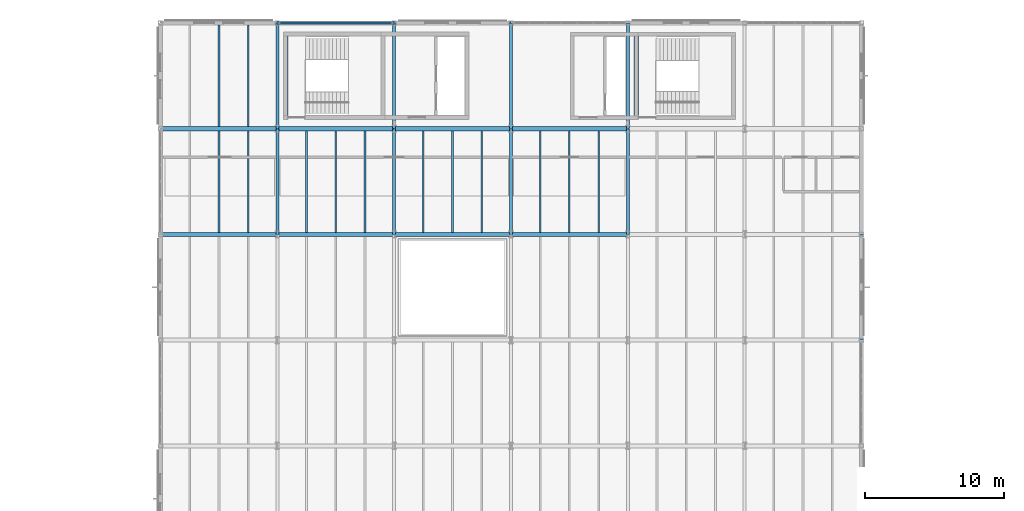
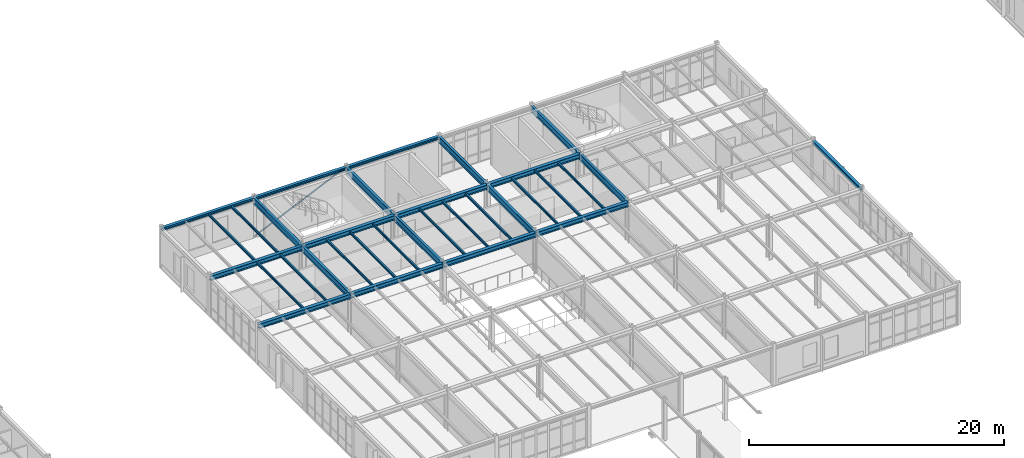
# One storey, part 91 of 165: 35 beams, 1 member.
"""IFC4 building model written with IfcOpenShell, lengths in metres."""

import ifcopenshell
import ifcopenshell.guid

model = None  # the IFC model being written
_history = None  # IfcOwnerHistory: only IFC2X3 demands one
_inside = {}  # id of a spatial element -> (the spatial element, [elements in it])
_under = {}  # id of a project, library or spatial element -> (it, [spatial elements below it])
_declared = {}  # id of a project -> (the project, [libraries it declares])
_typed = {}  # id of a type object -> (the type object, [elements of that type])
_made_of = {}  # id of a material, layer set ... -> (it, [elements and type objects made of it])


def new_model(schema):
    """Start an empty IFC model of exactly this schema.

    Asked for "IFC4X3", IfcOpenShell would pick the latest addendum, in which some entities
    have other attributes; the version numbers below select the first issue.
    IFC2X3 requires an IfcOwnerHistory on every rooted entity: one is made here for all.
    """
    global model, _history
    if schema == "IFC4X3":
        model = ifcopenshell.file(schema_version=(4, 3, 0, 0))
    else:
        model = ifcopenshell.file(schema=schema)
    _inside.clear()
    _under.clear()
    _declared.clear()
    _typed.clear()
    _made_of.clear()
    _history = None
    if model.schema == "IFC2X3":
        org = make("IfcOrganization", Name="unknown")
        user = make(
            "IfcPersonAndOrganization",
            ThePerson=make("IfcPerson", FamilyName="unknown"),
            TheOrganization=org,
        )
        app = make(
            "IfcApplication",
            ApplicationDeveloper=org,
            Version="unknown",
            ApplicationFullName="unknown",
            ApplicationIdentifier="unknown",
        )
        _history = make(
            "IfcOwnerHistory",
            OwningUser=user,
            OwningApplication=app,
            ChangeAction="ADDED",
            CreationDate=0,
        )
    return model


def make(cls, **values):
    """One entity of the class cls with the attributes given. An attribute that is None is left unset."""
    return model.create_entity(
        cls, **{name: value for name, value in values.items() if value is not None}
    )


def rooted(cls, **values):
    """An entity with a GlobalId (a new one), such as an element, a storey or a relation."""
    return make(cls, GlobalId=ifcopenshell.guid.new(), OwnerHistory=_history, **values)


def si_unit(unit_type, name, prefix=None):
    """IfcSIUnit, for example si_unit("LENGTHUNIT", "METRE", prefix="MILLI")."""
    return make("IfcSIUnit", UnitType=unit_type, Prefix=prefix, Name=name)


def assignment(units):
    """IfcUnitAssignment: the units of a project."""
    return None if units is None else make("IfcUnitAssignment", Units=units)


def point(xyz):
    """IfcCartesianPoint."""
    return None if xyz is None else make("IfcCartesianPoint", Coordinates=xyz)


def direction(xyz):
    """IfcDirection."""
    return None if xyz is None else make("IfcDirection", DirectionRatios=xyz)


def frame(location, z_axis=None, x_axis=None):
    """IfcAxis2Placement3D, a coordinate frame: its origin and axes. An axis left out is left unset."""
    return make(
        "IfcAxis2Placement3D",
        Location=point(location),
        Axis=direction(z_axis),
        RefDirection=direction(x_axis),
    )


def frame_2d(location, x_axis=None):
    """IfcAxis2Placement2D, a coordinate frame in the plane: its origin and x axis."""
    return make(
        "IfcAxis2Placement2D", Location=point(location), RefDirection=direction(x_axis)
    )


def origin():
    """The frame at (0, 0, 0) with its axes left unset."""
    return frame((0.0, 0.0, 0.0))


def origin_2d():
    """The frame at (0, 0) in the plane with its x axis left unset."""
    return frame_2d((0.0, 0.0))


def place(relative_to, where):
    """IfcLocalPlacement: puts the frame where relative to a parent placement (None: the world)."""
    return make(
        "IfcLocalPlacement", PlacementRelTo=relative_to, RelativePlacement=where
    )


def context(
    kind, dimensions, precision=None, world=None, true_north=None, identifier=None
):
    """IfcGeometricRepresentationContext, for example the 3D "Model" context."""
    return make(
        "IfcGeometricRepresentationContext",
        ContextIdentifier=identifier,
        ContextType=kind,
        CoordinateSpaceDimension=dimensions,
        Precision=precision,
        WorldCoordinateSystem=world,
        TrueNorth=true_north,
    )


def subcontext(parent, identifier, kind, view, scale=None):
    """IfcGeometricRepresentationSubContext, for example "Body" below "Model"."""
    return make(
        "IfcGeometricRepresentationSubContext",
        ContextIdentifier=identifier,
        ContextType=kind,
        ParentContext=parent,
        TargetScale=scale,
        TargetView=view,
    )


def project(units=None, contexts=None):
    """IfcProject with its units and contexts."""
    return rooted(
        "IfcProject",
        Name="project",
        RepresentationContexts=contexts,
        UnitsInContext=assignment(units),
    )


def spatial(cls, under=None, at=None, **own):
    """A site, building, storey or space (cls), placed at a placement, below another one or the project."""
    s = rooted(cls, ObjectPlacement=at, **own)
    if under is not None:
        _under.setdefault(under.id(), (under, []))[1].append(s)
    return s


def profile(cls, at=None, kind="AREA", **sizes):
    """A parametric profile (cls). Its sizes go by their IFC names, for example OverallWidth=200.0."""
    return make(cls, ProfileType=kind, Position=at, **sizes)


def rectangle(**sizes):
    """IfcRectangleProfileDef."""
    return profile("IfcRectangleProfileDef", **sizes)


def hollow_circle(**sizes):
    """IfcCircleHollowProfileDef."""
    return profile("IfcCircleHollowProfileDef", **sizes)


def i_section(**sizes):
    """IfcIShapeProfileDef."""
    return profile("IfcIShapeProfileDef", **sizes)


def extrude(swept, where, along, depth):
    """IfcExtrudedAreaSolid: the profile swept, set in the frame where, extruded along a direction by depth."""
    return make(
        "IfcExtrudedAreaSolid",
        SweptArea=swept,
        Position=where,
        ExtrudedDirection=direction(along),
        Depth=depth,
    )


def shape(context_of_items, identifier, shape_type, items):
    """IfcShapeRepresentation: the items that make up one representation, for example the "Body"."""
    return make(
        "IfcShapeRepresentation",
        ContextOfItems=context_of_items,
        RepresentationIdentifier=identifier,
        RepresentationType=shape_type,
        Items=items,
    )


def material(Name=None, Category=None):
    """IfcMaterial."""
    return make("IfcMaterial", Name=Name, Category=Category)


def material_profile(
    of_material, cross_section, Name=None, Category=None, Priority=None
):
    """IfcMaterialProfile: a cross section and its material."""
    return make(
        "IfcMaterialProfile",
        Name=Name,
        Material=of_material,
        Profile=cross_section,
        Priority=Priority,
        Category=Category,
    )


def profile_set(profiles, Name=None, composite=None):
    """IfcMaterialProfileSet."""
    return make(
        "IfcMaterialProfileSet",
        Name=Name,
        MaterialProfiles=profiles,
        CompositeProfile=composite,
    )


def made_of(thing, what):
    """Note that an element or type object is made of a material, layer set ...; save() writes the relation."""
    if what is not None:
        _made_of.setdefault(what.id(), (what, []))[1].append(thing)
    return thing


def type_object(cls, material=None, **own):
    """A type object (cls), such as IfcWallType, which elements share."""
    return made_of(rooted(cls, **own), material)


def element(
    cls,
    number,
    at=None,
    inside=None,
    cuts=None,
    type_object=None,
    material=None,
    context=None,
    identifier="Body",
    shape_type=None,
    held_by="IfcProductDefinitionShape",
    body=None,
    shapes=None,
    **own,
):
    """One element of the class cls, such as IfcWall. Its Tag is "e" and its number.

    at: its placement. inside: the storey or other place that contains it. cuts: it is an
    opening in that element (IfcRelVoidsElement). A single representation is given by context,
    identifier, shape_type and body (its items); several are given by shapes. held_by: the class
    of the entity that holds the representations. save() writes the other relations.
    """
    e = rooted(cls, Tag="e%d" % number, ObjectPlacement=at, **own)
    if body is not None:
        shapes = [shape(context, identifier, shape_type, body)]
    if shapes is not None:
        e.Representation = make(held_by, Representations=shapes)
    if inside is not None:
        _inside.setdefault(inside.id(), (inside, []))[1].append(e)
    if cuts is not None:
        rooted(
            "IfcRelVoidsElement", RelatingBuildingElement=cuts, RelatedOpeningElement=e
        )
    if type_object is not None:
        _typed.setdefault(type_object.id(), (type_object, []))[1].append(e)
    return made_of(e, material)


def aggregate(whole, parts):
    """IfcRelAggregates: a whole, such as a stair, and the parts it consists of."""
    return rooted("IfcRelAggregates", RelatingObject=whole, RelatedObjects=parts)


def save(model, path):
    """Write the relations noted so far, then the file.

    IfcRelAggregates (storeys below a building ...), IfcRelContainedInSpatialStructure (elements
    in a storey), IfcRelDefinesByType, IfcRelAssociatesMaterial and IfcRelDeclares: one each for
    every whole, place, type object, material and project.
    """
    for whole, parts in _under.values():
        aggregate(whole, parts)
    for where, things in _inside.values():
        rooted(
            "IfcRelContainedInSpatialStructure",
            RelatedElements=things,
            RelatingStructure=where,
        )
    for kind, things in _typed.values():
        rooted("IfcRelDefinesByType", RelatedObjects=things, RelatingType=kind)
    for what, things in _made_of.values():
        rooted("IfcRelAssociatesMaterial", RelatedObjects=things, RelatingMaterial=what)
    for by, libraries in _declared.values():
        rooted("IfcRelDeclares", RelatingContext=by, RelatedDefinitions=libraries)
    model.write(path)


model = new_model("IFC4")

# Units and contexts
model_context = context("Model", 3, precision=1e-05, world=origin(), true_north=direction((0.0, 1.0)))
body_context = subcontext(model_context, "Body", "Model", "MODEL_VIEW")
ifc_project = project(units=[si_unit("LENGTHUNIT", "METRE"), si_unit("AREAUNIT", "SQUARE_METRE"), si_unit("VOLUMEUNIT", "CUBIC_METRE"), si_unit("PLANEANGLEUNIT", "RADIAN"), si_unit("MASSUNIT", "GRAM", prefix="KILO")], contexts=[model_context])

# Site, building, storey
site_placement = place(None, origin())
site = spatial("IfcSite", under=ifc_project, at=site_placement, CompositionType="ELEMENT")
building_placement = place(site_placement, origin())
building = spatial("IfcBuilding", under=site, at=building_placement, Name="Montecoro Central Library", CompositionType="ELEMENT")
storey_placement = place(building_placement, frame((0.0, 0.0, 5.10009765625)))
storey = spatial("IfcBuildingStorey", under=building, at=storey_placement, Name="L01", CompositionType="ELEMENT", Elevation=5.10009765625)

# Beams
ifc_material_1 = material(Name="Steel S355J2", Category="steel")
ifc_material_profile_1 = material_profile(ifc_material_1, i_section(OverallWidth=0.300048828125, OverallDepth=0.43994140625, WebThickness=0.011474609375, FlangeThickness=0.02099609375, at=origin_2d()), Name="HEA 450")
ifc_profile_set_1 = profile_set([ifc_material_profile_1], Name="Steel S355J2")
beam_type_1 = type_object("IfcBeamType", Name="BM-G-HEA450", PredefinedType="USERDEFINED", material=ifc_profile_set_1)
beam_1_placement = place(storey_placement, frame((66.405029296875, 103.800048828125, 3.60498046875), z_axis=(1.0, 0.0, 0.0), x_axis=(0.0, 1.0, 0.0)))
element("IfcBeam", 1, at=beam_1_placement, inside=storey, type_object=beam_type_1, Name="V2-L01-BX-910-P", ObjectType="GIRDER", PredefinedType="USERDEFINED", context=body_context, shape_type="SweptSolid", body=[
    extrude(i_section(OverallWidth=0.300048828125, OverallDepth=0.43994140625, WebThickness=0.011474609375, FlangeThickness=0.02099609375, at=origin_2d()), origin(), (0.0, 0.0, 1.0), 8.389892578125),
])
beam_2_placement = place(storey_placement, frame((74.804931640625, 103.800048828125, 3.60498046875), z_axis=(1.0, 0.0, 0.0), x_axis=(0.0, 1.0, 0.0)))
element("IfcBeam", 2, at=beam_2_placement, inside=storey, type_object=beam_type_1, Name="V2-L01-BX-1011-P", ObjectType="GIRDER", PredefinedType="USERDEFINED", context=body_context, shape_type="SweptSolid", body=[
    extrude(i_section(OverallWidth=0.300048828125, OverallDepth=0.43994140625, WebThickness=0.011474609375, FlangeThickness=0.02099609375, at=origin_2d()), origin(), (0.0, 0.0, 1.0), 8.39013671875),
])
beam_3_placement = place(storey_placement, frame((83.205078125, 103.800048828125, 3.60498046875), z_axis=(1.0, 0.0, 0.0), x_axis=(0.0, 1.0, 0.0)))
element("IfcBeam", 3, at=beam_3_placement, inside=storey, type_object=beam_type_1, Name="V2-L01-BX-1112-P", ObjectType="GIRDER", PredefinedType="USERDEFINED", context=body_context, shape_type="SweptSolid", body=[
    extrude(i_section(OverallWidth=0.300048828125, OverallDepth=0.43994140625, WebThickness=0.011474609375, FlangeThickness=0.02099609375, at=origin_2d()), origin(), (0.0, 0.0, 1.0), 8.389892578125),
])
beam_4_placement = place(storey_placement, frame((91.60498046875, 103.800048828125, 3.60498046875), z_axis=(1.0, 0.0, 0.0), x_axis=(0.0, 1.0, 0.0)))
element("IfcBeam", 4, at=beam_4_placement, inside=storey, type_object=beam_type_1, Name="V2-L01-BX-1213-P", ObjectType="GIRDER", PredefinedType="USERDEFINED", context=body_context, shape_type="SweptSolid", body=[
    extrude(i_section(OverallWidth=0.300048828125, OverallDepth=0.43994140625, WebThickness=0.011474609375, FlangeThickness=0.02099609375, at=origin_2d()), origin(), (0.0, 0.0, 1.0), 8.39013671875),
])
beam_5_placement = place(storey_placement, frame((66.405029296875, 111.39990234375, 3.60498046875), z_axis=(1.0, 0.0, 0.0), x_axis=(0.0, 1.0, 0.0)))
element("IfcBeam", 5, at=beam_5_placement, inside=storey, type_object=beam_type_1, Name="V2-L01-BX-910-Q", ObjectType="GIRDER", PredefinedType="USERDEFINED", context=body_context, shape_type="SweptSolid", body=[
    extrude(i_section(OverallWidth=0.300048828125, OverallDepth=0.43994140625, WebThickness=0.011474609375, FlangeThickness=0.02099609375, at=origin_2d()), origin(), (0.0, 0.0, 1.0), 8.389892578125),
])
beam_6_placement = place(storey_placement, frame((74.804931640625, 111.39990234375, 3.60498046875), z_axis=(1.0, 0.0, 0.0), x_axis=(0.0, 1.0, 0.0)))
element("IfcBeam", 6, at=beam_6_placement, inside=storey, type_object=beam_type_1, Name="V2-L01-BX-1011-Q", ObjectType="GIRDER", PredefinedType="USERDEFINED", context=body_context, shape_type="SweptSolid", body=[
    extrude(i_section(OverallWidth=0.300048828125, OverallDepth=0.43994140625, WebThickness=0.011474609375, FlangeThickness=0.02099609375, at=origin_2d()), origin(), (0.0, 0.0, 1.0), 8.39013671875),
])
beam_7_placement = place(storey_placement, frame((83.205078125, 111.39990234375, 3.60498046875), z_axis=(1.0, 0.0, 0.0), x_axis=(0.0, 1.0, 0.0)))
element("IfcBeam", 7, at=beam_7_placement, inside=storey, type_object=beam_type_1, Name="V2-L01-BX-1112-Q", ObjectType="GIRDER", PredefinedType="USERDEFINED", context=body_context, shape_type="SweptSolid", body=[
    extrude(i_section(OverallWidth=0.300048828125, OverallDepth=0.43994140625, WebThickness=0.011474609375, FlangeThickness=0.02099609375, at=origin_2d()), origin(), (0.0, 0.0, 1.0), 8.389892578125),
])
beam_8_placement = place(storey_placement, frame((91.60498046875, 111.39990234375, 3.60498046875), z_axis=(1.0, 0.0, 0.0), x_axis=(0.0, 1.0, 0.0)))
element("IfcBeam", 8, at=beam_8_placement, inside=storey, type_object=beam_type_1, Name="V2-L01-BX-1213-Q", ObjectType="GIRDER", PredefinedType="USERDEFINED", context=body_context, shape_type="SweptSolid", body=[
    extrude(i_section(OverallWidth=0.300048828125, OverallDepth=0.43994140625, WebThickness=0.011474609375, FlangeThickness=0.02099609375, at=origin_2d()), origin(), (0.0, 0.0, 1.0), 8.39013671875),
])
ifc_material_profile_2 = material_profile(ifc_material_1, i_section(OverallWidth=0.219970703125, OverallDepth=0.60009765625, WebThickness=0.011962890625, FlangeThickness=0.01904296875, at=origin_2d()), Name="IPE 600")
ifc_profile_set_2 = profile_set([ifc_material_profile_2], Name="Steel S355J2")
beam_type_2 = type_object("IfcBeamType", Name="BM-G-IPE600", PredefinedType="USERDEFINED", material=ifc_profile_set_2)
for number, where, z_axis, x_axis, name in (
    (9, (74.800048828125, 103.804931640625, 3.52490234375), (0.0, 1.0, 0.0), (-1.0, 0.0, 0.0), "V2-L01-BY-10-PQ"),
    (10, (74.800048828125, 111.405029296875, 3.52490234375), (0.0, 1.0, 0.0), (-1.0, 0.0, 0.0), "V2-L01-BY-10-QR"),
    (11, (83.199951171875, 103.804931640625, 3.52490234375), (0.0, 1.0, 0.0), (-1.0, 0.0, 0.0), "V2-L01-BY-11-PQ"),
    (12, (83.199951171875, 111.405029296875, 3.52490234375), (0.0, 1.0, 0.0), (-1.0, 0.0, 0.0), "V2-L01-BY-11-QR"),
    (13, (91.60009765625, 103.804931640625, 3.52490234375), (0.0, 1.0, 0.0), (-1.0, 0.0, 0.0), "V2-L01-BY-12-PQ"),
    (14, (91.60009765625, 111.405029296875, 3.52490234375), (0.0, 1.0, 0.0), (-1.0, 0.0, 0.0), "V2-L01-BY-12-QR"),
    (15, (100.0, 103.804931640625, 3.52490234375), (0.0, 1.0, 0.0), (-1.0, 0.0, 0.0), "V2-L01-BY-13-PQ"),
    (16, (100.0, 111.405029296875, 3.52490234375), (0.0, 1.0, 0.0), (-1.0, 0.0, 0.0), "V2-L01-BY-13-QR"),
):
    element("IfcBeam", number, at=place(storey_placement, frame(where, z_axis=z_axis, x_axis=x_axis)), inside=storey, type_object=beam_type_2, Name=name, ObjectType="GIRDER", PredefinedType="USERDEFINED", context=body_context, shape_type="SweptSolid", body=[
        extrude(i_section(OverallWidth=0.219970703125, OverallDepth=0.60009765625, WebThickness=0.011962890625, FlangeThickness=0.01904296875, at=origin_2d()), origin(), (0.0, 0.0, 1.0), 7.590087890625),
    ])
ifc_material_2 = material(Name="Steel S355", Category="steel")
ifc_material_profile_3 = material_profile(ifc_material_2, i_section(OverallWidth=0.1201171875, OverallDepth=0.239990234375, WebThickness=0.006103515625, FlangeThickness=0.009765625, at=origin_2d()), Name="IPE 240")
ifc_profile_set_3 = profile_set([ifc_material_profile_3], Name="Steel S355")
beam_type_3 = type_object("IfcBeamType", Name="BM-J-IPE240", PredefinedType="JOIST", material=ifc_profile_set_3)
for number, where, z_axis, x_axis, name in (
    (17, (70.60009765625, 103.947021484375, 3.704833984375), (0.0, 1.0, 0.0), (-1.0, 0.0, 0.0), "V2-L01-JS-910-PQ-2"),
    (18, (72.699951171875, 103.947021484375, 3.704833984375), (0.0, 1.0, 0.0), (-1.0, 0.0, 0.0), "V2-L01-JS-910-PQ-3"),
):
    element("IfcBeam", number, at=place(storey_placement, frame(where, z_axis=z_axis, x_axis=x_axis)), inside=storey, type_object=beam_type_3, Name=name, PredefinedType="JOIST", context=body_context, shape_type="SweptSolid", body=[
        extrude(i_section(OverallWidth=0.1201171875, OverallDepth=0.239990234375, WebThickness=0.006103515625, FlangeThickness=0.009765625, at=origin_2d()), origin(), (0.0, 0.0, 1.0), 7.305908203125),
    ])
for number, where, z_axis, x_axis, name in (
    (19, (70.60009765625, 111.547119140625, 3.704833984375), (0.0, 1.0, 0.0), (-1.0, 0.0, 0.0), "V2-L01-JS-910-QR-2"),
    (20, (72.699951171875, 111.547119140625, 3.704833984375), (0.0, 1.0, 0.0), (-1.0, 0.0, 0.0), "V2-L01-JS-910-QR-3"),
):
    element("IfcBeam", number, at=place(storey_placement, frame(where, z_axis=z_axis, x_axis=x_axis)), inside=storey, type_object=beam_type_3, Name=name, PredefinedType="JOIST", context=body_context, shape_type="SweptSolid", body=[
        extrude(i_section(OverallWidth=0.1201171875, OverallDepth=0.239990234375, WebThickness=0.006103515625, FlangeThickness=0.009765625, at=origin_2d()), origin(), (0.0, 0.0, 1.0), 7.31591796875),
    ])
for number, where, z_axis, x_axis, name in (
    (21, (76.89990234375, 103.947021484375, 3.704833984375), (0.0, 1.0, 0.0), (-1.0, 0.0, 0.0), "V2-L01-JS-1011-PQ-1"),
    (22, (79.0, 103.947021484375, 3.704833984375), (0.0, 1.0, 0.0), (-1.0, 0.0, 0.0), "V2-L01-JS-1011-PQ-2"),
    (23, (81.10009765625, 103.947021484375, 3.704833984375), (0.0, 1.0, 0.0), (-1.0, 0.0, 0.0), "V2-L01-JS-1011-PQ-3"),
    (24, (85.300048828125, 103.947021484375, 3.704833984375), (0.0, 1.0, 0.0), (-1.0, 0.0, 0.0), "V2-L01-JS-1112-PQ-1"),
    (25, (87.39990234375, 103.947021484375, 3.704833984375), (0.0, 1.0, 0.0), (-1.0, 0.0, 0.0), "V2-L01-JS-1112-PQ-2"),
    (26, (89.5, 103.947021484375, 3.704833984375), (0.0, 1.0, 0.0), (-1.0, 0.0, 0.0), "V2-L01-JS-1112-PQ-3"),
    (27, (93.699951171875, 103.947021484375, 3.704833984375), (0.0, 1.0, 0.0), (-1.0, 0.0, 0.0), "V2-L01-JS-1213-PQ-1"),
    (28, (95.800048828125, 103.947021484375, 3.704833984375), (0.0, 1.0, 0.0), (-1.0, 0.0, 0.0), "V2-L01-JS-1213-PQ-2"),
    (29, (97.89990234375, 103.947021484375, 3.704833984375), (0.0, 1.0, 0.0), (-1.0, 0.0, 0.0), "V2-L01-JS-1213-PQ-3"),
):
    element("IfcBeam", number, at=place(storey_placement, frame(where, z_axis=z_axis, x_axis=x_axis)), inside=storey, type_object=beam_type_3, Name=name, PredefinedType="JOIST", context=body_context, shape_type="SweptSolid", body=[
        extrude(i_section(OverallWidth=0.1201171875, OverallDepth=0.239990234375, WebThickness=0.006103515625, FlangeThickness=0.009765625, at=origin_2d()), origin(), (0.0, 0.0, 1.0), 7.305908203125),
    ])
ifc_material_3 = material(Name="Concrete C35/45", Category="concrete")
ifc_material_profile_4 = material_profile(ifc_material_3, rectangle(XDim=0.300048828125, YDim=0.449951171875, at=origin_2d()), Name="RC LNT 450x300")
ifc_profile_set_4 = profile_set([ifc_material_profile_4], Name="Concrete C35/45")
beam_type_4 = type_object("IfcBeamType", Name="BM-LN-RC02", PredefinedType="LINTEL", material=ifc_profile_set_4)
beam_9_placement = place(storey_placement, frame((75.39990234375, 112.35009765625, 2.6748046875), z_axis=(0.0, 1.0, 0.0), x_axis=(-1.0, 0.0, 0.0)))
element("IfcBeam", 30, at=beam_9_placement, inside=storey, type_object=beam_type_4, Name="C2-L01-LNT", PredefinedType="LINTEL", context=body_context, shape_type="SweptSolid", body=[
    extrude(rectangle(XDim=0.300048828125, YDim=0.449951171875, at=origin_2d()), origin(), (0.0, 0.0, 1.0), 5.699951171875),
])
ifc_material_profile_5 = material_profile(ifc_material_3, rectangle(XDim=0.320068359375, YDim=0.5, at=origin_2d()), Name="RC LNT 500x320")
ifc_profile_set_5 = profile_set([ifc_material_profile_5], Name="Concrete C35/45")
beam_type_5 = type_object("IfcBeamType", Name="BM-LN-RC03", PredefinedType="LINTEL", material=ifc_profile_set_5)
beam_10_placement = place(storey_placement, frame((100.60009765625, 112.35009765625, 2.699951171875), z_axis=(0.0, 1.0, 0.0), x_axis=(-1.0, 0.0, 0.0)))
element("IfcBeam", 31, at=beam_10_placement, inside=storey, type_object=beam_type_5, Name="C3-L01-LNT", PredefinedType="LINTEL", context=body_context, shape_type="SweptSolid", body=[
    extrude(rectangle(XDim=0.320068359375, YDim=0.5, at=origin_2d()), origin(), (0.0, 0.0, 1.0), 5.699951171875),
])
ifc_material_profile_6 = material_profile(ifc_material_2, i_section(OverallWidth=0.280029296875, OverallDepth=0.27001953125, WebThickness=0.008056640625, FlangeThickness=0.012939453125, at=origin_2d()), Name="HEA 280")
ifc_profile_set_6 = profile_set([ifc_material_profile_6], Name="Steel S355")
beam_type_6 = type_object("IfcBeamType", Name="BM-SP-HEA280", PredefinedType="SPANDREL", material=ifc_profile_set_6)
beam_11_placement = place(storey_placement, frame((66.405029296875, 119.0, 3.68994140625), z_axis=(1.0, 0.0, 0.0), x_axis=(0.0, 1.0, 0.0)))
element("IfcBeam", 32, at=beam_11_placement, inside=storey, type_object=beam_type_6, Name="V2-L01-BX-910-R", PredefinedType="SPANDREL", context=body_context, shape_type="SweptSolid", body=[
    extrude(i_section(OverallWidth=0.280029296875, OverallDepth=0.27001953125, WebThickness=0.008056640625, FlangeThickness=0.012939453125, at=origin_2d()), origin(), (0.0, 0.0, 1.0), 8.389892578125),
])
beam_12_placement = place(storey_placement, frame((74.804931640625, 119.0, 3.68994140625), z_axis=(1.0, 0.0, 0.0), x_axis=(0.0, 1.0, 0.0)))
element("IfcBeam", 33, at=beam_12_placement, inside=storey, type_object=beam_type_6, Name="V2-L01-BX-1011-R", PredefinedType="SPANDREL", context=body_context, shape_type="SweptSolid", body=[
    extrude(i_section(OverallWidth=0.280029296875, OverallDepth=0.27001953125, WebThickness=0.008056640625, FlangeThickness=0.012939453125, at=origin_2d()), origin(), (0.0, 0.0, 1.0), 8.39013671875),
])
beam_13_placement = place(storey_placement, frame((83.205078125, 119.0, 3.68994140625), z_axis=(1.0, 0.0, 0.0), x_axis=(0.0, 1.0, 0.0)))
element("IfcBeam", 34, at=beam_13_placement, inside=storey, type_object=beam_type_6, Name="V2-L01-BX-1112-R", PredefinedType="SPANDREL", context=body_context, shape_type="SweptSolid", body=[
    extrude(i_section(OverallWidth=0.280029296875, OverallDepth=0.27001953125, WebThickness=0.008056640625, FlangeThickness=0.012939453125, at=origin_2d()), origin(), (0.0, 0.0, 1.0), 8.389892578125),
])
beam_14_placement = place(storey_placement, frame((116.800048828125, 96.205078125, 3.68994140625), z_axis=(0.0, 1.0, 0.0), x_axis=(-1.0, 0.0, 0.0)))
element("IfcBeam", 35, at=beam_14_placement, inside=storey, type_object=beam_type_6, Name="V2-L01-BY-15-NP", PredefinedType="SPANDREL", context=body_context, shape_type="SweptSolid", body=[
    extrude(i_section(OverallWidth=0.280029296875, OverallDepth=0.27001953125, WebThickness=0.008056640625, FlangeThickness=0.012939453125, at=origin_2d()), origin(), (0.0, 0.0, 1.0), 7.58984375),
])

# Member
ifc_material_profile_7 = material_profile(ifc_material_2, hollow_circle(Radius=0.06982421875, WallThickness=0.00634765625, at=origin_2d()), Name="CHS 139.7x6.3")
ifc_profile_set_7 = profile_set([ifc_material_profile_7], Name="Steel S355")
member_type = type_object("IfcMemberType", Name="MB-BR-CHS140", PredefinedType="BRACE", material=ifc_profile_set_7)
member_placement = place(storey_placement, frame((74.800048828125, 119.0, 0.010009765625), z_axis=(0.911312900709, 0.0, 0.411714460519), x_axis=(0.0, 1.0, 0.0)))
element("IfcMember", 36, at=member_placement, inside=storey, type_object=member_type, Name="V2-L01-BRN1", PredefinedType="BRACE", context=body_context, shape_type="SweptSolid", body=[
    extrude(hollow_circle(Radius=0.06982421875, WallThickness=0.00634765625, at=origin_2d()), origin(), (0.0, 0.0, 1.0), 9.21728515625),
])

save(model, "model.ifc")
